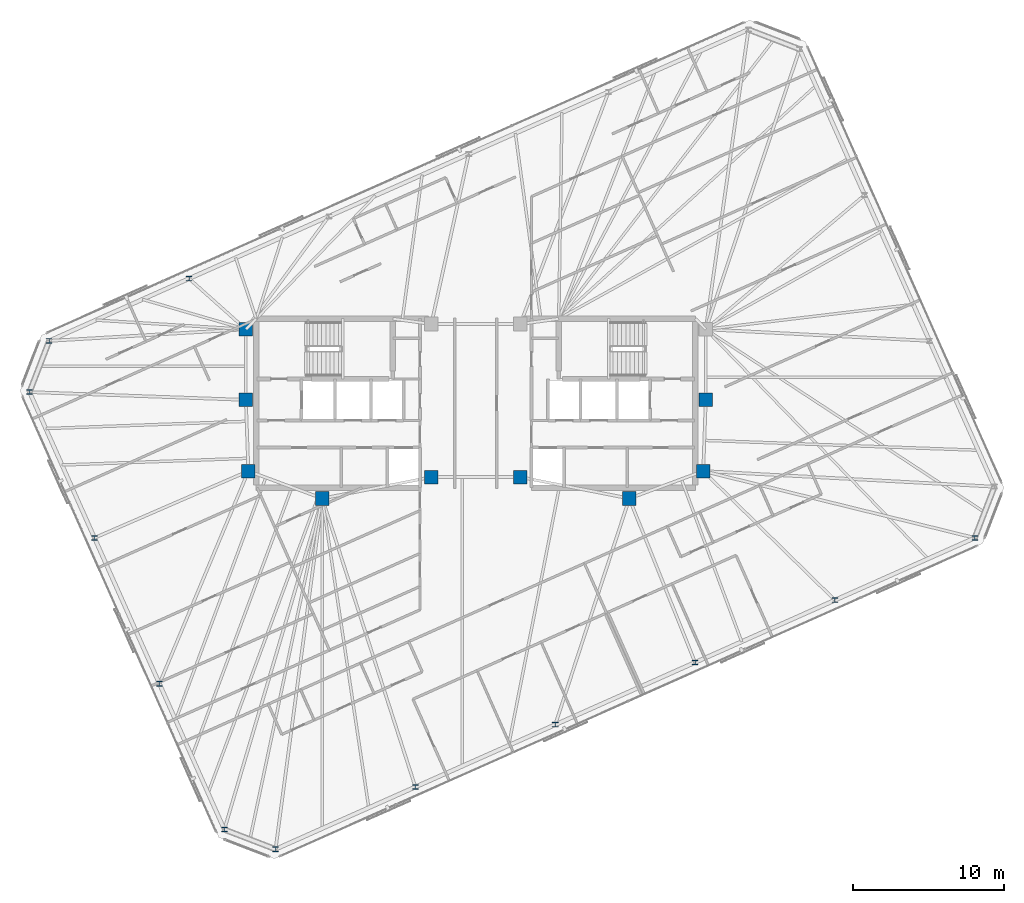
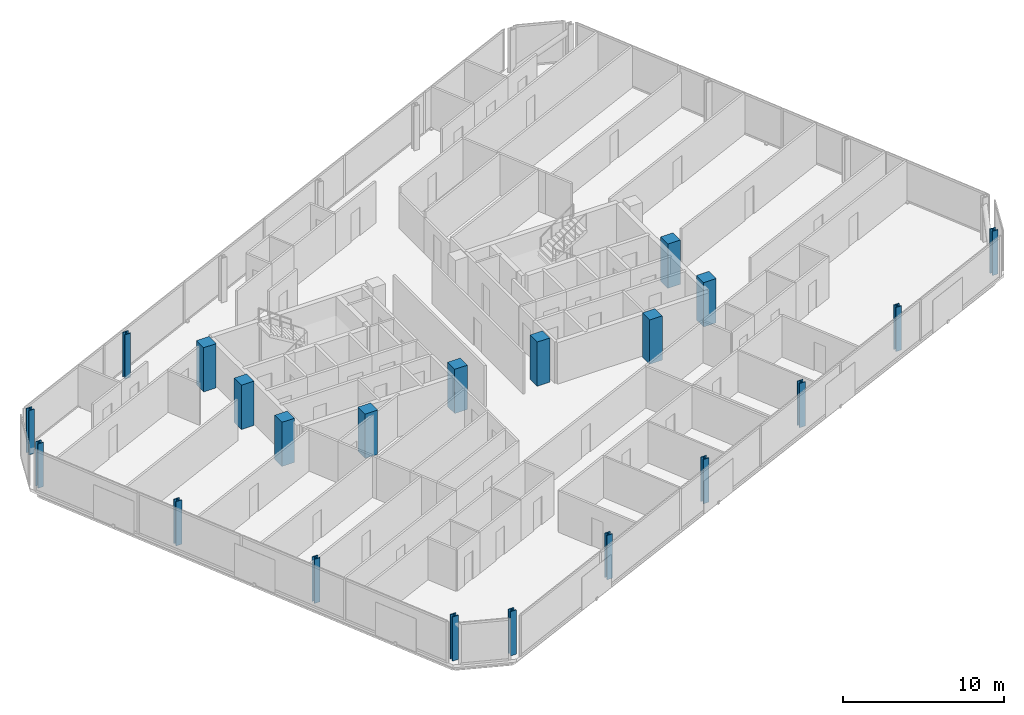
# One storey, part 1 of 19: 21 columns.
"""IFC4 building model written with IfcOpenShell, lengths in metres."""

from ifc_helpers import new_model, si_unit, direction, frame, origin, origin_2d, place, context, subcontext, project, spatial, rectangle, i_section, extrude, material, material_profile, profile_set, type_object, element, save


model = new_model("IFC4")

# Units and contexts
model_context = context("Model", 3, precision=1e-05, world=origin(), true_north=direction((0.0, 1.0)))
body_context = subcontext(model_context, "Body", "Model", "MODEL_VIEW")
ifc_project = project(units=[si_unit("LENGTHUNIT", "METRE"), si_unit("AREAUNIT", "SQUARE_METRE"), si_unit("VOLUMEUNIT", "CUBIC_METRE"), si_unit("PLANEANGLEUNIT", "RADIAN"), si_unit("MASSUNIT", "GRAM", prefix="KILO")], contexts=[model_context])

# Site, building, storey
site_placement = place(None, origin())
site = spatial("IfcSite", under=ifc_project, at=site_placement, CompositionType="ELEMENT")
building_placement = place(site_placement, origin())
building = spatial("IfcBuilding", under=site, at=building_placement, Name="Menara Jurai Vektor", CompositionType="ELEMENT")
storey_placement = place(building_placement, frame((0.0, 0.0, 281.89990234375)))
storey = spatial("IfcBuildingStorey", under=building, at=storey_placement, Name="L75", CompositionType="ELEMENT", Elevation=281.89990234375)

# Columns
ifc_material_1 = material(Name="Concrete C50/60", Category="concrete")
ifc_material_profile_1 = material_profile(ifc_material_1, rectangle(XDim=0.89990234375, YDim=0.89990234375, at=origin_2d()), Name="RC 900x900")
ifc_profile_set_1 = profile_set([ifc_material_profile_1], Name="Concrete C50/60")
column_type_1 = type_object("IfcColumnType", Name="STR-COL-RC900", PredefinedType="COLUMN", material=ifc_profile_set_1)
for number, where, z_axis, x_axis, name in (
    (1, (-15.25, 4.89990234375, 0.0), (0.0, 0.0, 1.0), (1.0, 0.0, 0.0), "Core Spine Column CW-NW L75"),
    (2, (-15.25, 0.219970703125, 0.0), (0.0, 0.0, 1.0), (1.0, 0.0, 0.0), "Core Spine Column CW-WM L75"),
    (3, (-15.080078125, -4.5, 0.0), (0.0, 0.0, 1.0), (1.0, 0.0, 0.0), "Core Spine Column CW-SW L75"),
    (4, (-10.179931640625, -6.320068359375, 0.0), (0.0, 0.0, 1.0), (1.0, 0.0, 0.0), "Core Spine Column CW-SM L75"),
    (5, (-2.949951171875, -4.89990234375, 0.0), (0.0, 0.0, 1.0), (1.0, 0.0, 0.0), "Core Spine Column CW-SE L75"),
    (6, (15.25, 0.219970703125, 0.0), (0.0, 0.0, 1.0), (1.0, 0.0, 0.0), "Core Spine Column CE-EM L75"),
    (7, (15.080078125, -4.5, 0.0), (0.0, 0.0, 1.0), (1.0, 0.0, 0.0), "Core Spine Column CE-SE L75"),
    (8, (10.179931640625, -6.320068359375, 0.0), (0.0, 0.0, 1.0), (1.0, 0.0, 0.0), "Core Spine Column CE-SM L75"),
    (9, (2.949951171875, -4.89990234375, 0.0), (0.0, 0.0, 1.0), (1.0, 0.0, 0.0), "Core Spine Column CE-SW L75"),
):
    element("IfcColumn", number, at=place(storey_placement, frame(where, z_axis=z_axis, x_axis=x_axis)), inside=storey, type_object=column_type_1, Name=name, PredefinedType="COLUMN", context=body_context, shape_type="SweptSolid", body=[
        extrude(rectangle(XDim=0.89990234375, YDim=0.89990234375, at=origin_2d()), origin(), (0.0, 0.0, 1.0), 3.35009765625),
    ])
ifc_material_2 = material(Name="Steel S460", Category="steel")
ifc_material_profile_2 = material_profile(ifc_material_2, i_section(OverallWidth=0.40087890625, OverallDepth=0.3349609375, WebThickness=0.035888671875, FlangeThickness=0.05810546875, FilletRadius=0.014892578125, at=origin_2d()), Name="HD 400x463")
ifc_profile_set_2 = profile_set([ifc_material_profile_2], Name="Steel S460")
column_type_2 = type_object("IfcColumnType", Name="STR-EXO-BLK5", PredefinedType="COLUMN", material=ifc_profile_set_2)
for number, where, z_axis, x_axis, name in (
    (10, (-13.279541015625, -29.576904296875, 0.0), (0.0, 0.0, 1.0), (1.0, 0.0, 0.0), "Exoskeleton Column BLK5-S1 L75"),
    (11, (-4.006103515625, -25.4482421875, 0.0), (0.0, 0.0, 1.0), (1.0, 0.0, 0.0), "Exoskeleton Column BLK5-S2 L75"),
    (12, (5.267578125, -21.3193359375, 0.0), (0.0, 0.0, 1.0), (1.0, 0.0, 0.0), "Exoskeleton Column BLK5-S3 L75"),
    (13, (14.541015625, -17.1904296875, 0.0), (0.0, 0.0, 1.0), (1.0, 0.0, 0.0), "Exoskeleton Column BLK5-S4 L75"),
    (14, (23.814453125, -13.061767578125, 0.0), (0.0, 0.0, 1.0), (1.0, 0.0, 0.0), "Exoskeleton Column BLK5-S5 L75"),
    (15, (33.088134765625, -8.932861328125, 0.0), (0.0, 0.0, 1.0), (1.0, 0.0, 0.0), "Exoskeleton Column BLK5-S6 L75"),
    (16, (-19.0146484375, 8.26171875, 0.0), (0.0, 0.0, 1.0), (1.0, 0.0, 0.0), "Exoskeleton Column BLK5-N5 L75"),
    (17, (-28.2880859375, 4.1328125, 0.0), (0.0, 0.0, 1.0), (1.0, 0.0, 0.0), "Exoskeleton Column BLK5-N6 L75"),
    (18, (-29.591796875, 0.73681640625, 0.0), (0.0, 0.0, 1.0), (1.0, 0.0, 0.0), "Exoskeleton Column BLK5-W1 L75"),
    (19, (-25.286376953125, -8.933349609375, 0.0), (0.0, 0.0, 1.0), (1.0, 0.0, 0.0), "Exoskeleton Column BLK5-W2 L75"),
    (20, (-20.98095703125, -18.603271484375, 0.0), (0.0, 0.0, 1.0), (1.0, 0.0, 0.0), "Exoskeleton Column BLK5-W3 L75"),
    (21, (-16.675537109375, -28.2734375, 0.0), (0.0, 0.0, 1.0), (1.0, 0.0, 0.0), "Exoskeleton Column BLK5-W4 L75"),
):
    element("IfcColumn", number, at=place(storey_placement, frame(where, z_axis=z_axis, x_axis=x_axis)), inside=storey, type_object=column_type_2, Name=name, PredefinedType="COLUMN", context=body_context, shape_type="SweptSolid", body=[
        extrude(i_section(OverallWidth=0.40087890625, OverallDepth=0.3349609375, WebThickness=0.035888671875, FlangeThickness=0.05810546875, FilletRadius=0.014892578125, at=origin_2d()), origin(), (0.0, 0.0, 1.0), 3.35009765625),
    ])

save(model, "model.ifc")
